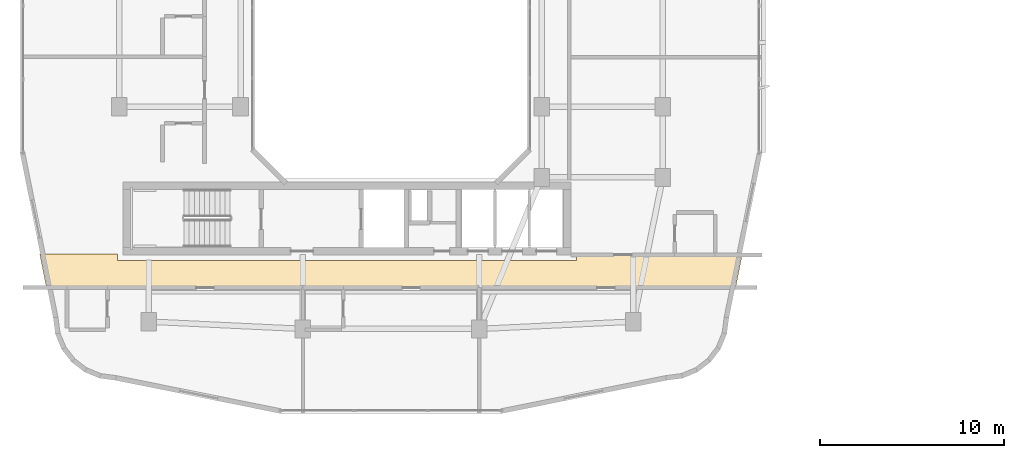
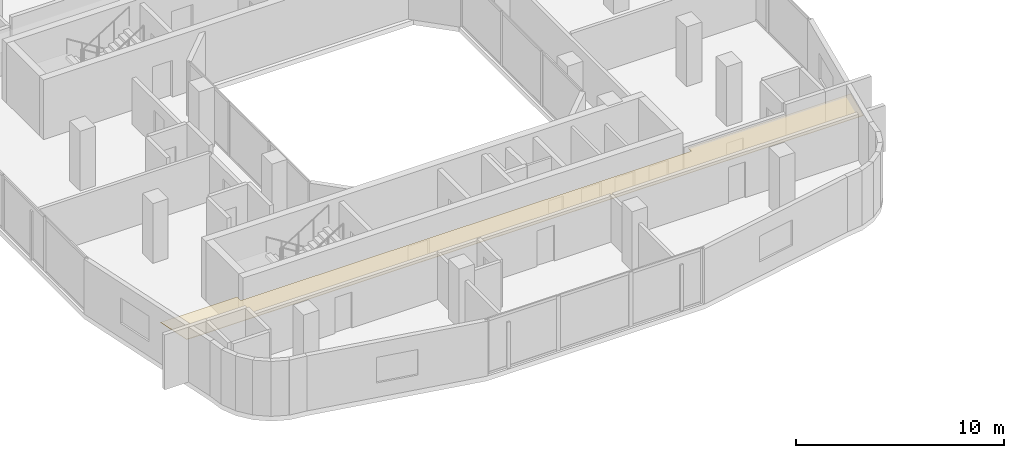
# One storey, part 15 of 18: 1 covering.
"""IFC4 building model written with IfcOpenShell, lengths in metres."""

from ifc_helpers import new_model, si_unit, derived_unit, direction, frame, origin, place, context, subcontext, project, spatial, polyline, outline, extrude, material, layer, layer_set, type_object, element, save


model = new_model("IFC4")

# Units and contexts
model_context = context("Model", 3, precision=1e-05, world=origin(), true_north=direction((0.0, 1.0)))
body_context = subcontext(model_context, "Body", "Model", "MODEL_VIEW")
ifc_project = project(units=[si_unit("LENGTHUNIT", "METRE"), si_unit("AREAUNIT", "SQUARE_METRE"), si_unit("VOLUMEUNIT", "CUBIC_METRE"), si_unit("PLANEANGLEUNIT", "RADIAN"), si_unit("MASSUNIT", "GRAM", prefix="KILO"), derived_unit("THERMALTRANSMITTANCEUNIT", [(si_unit("POWERUNIT", "WATT"), 1), (si_unit("LENGTHUNIT", "METRE"), -2), (si_unit("THERMODYNAMICTEMPERATUREUNIT", "KELVIN"), -1)])], contexts=[model_context])

# Site, building, storey
site_placement = place(None, origin())
site = spatial("IfcSite", under=ifc_project, at=site_placement, CompositionType="ELEMENT")
building_placement = place(site_placement, origin())
building = spatial("IfcBuilding", under=site, at=building_placement, Name="Kivonza Crest Hotel", CompositionType="ELEMENT")
storey_placement = place(building_placement, frame((0.0, 0.0, 131.0)))
storey = spatial("IfcBuildingStorey", under=building, at=storey_placement, Name="L35", CompositionType="ELEMENT", Elevation=131.0)

# Covering
ifc_material = material(Name="Moisture-resistant gypsum plasterboard ceiling", Category="gypsum")
ifc_layer = layer(ifc_material, 0.030029296875)
ifc_layer_set = layer_set([ifc_layer], Name="Moisture-resistant gypsum plasterboard ceiling")
covering_type = type_object("IfcCoveringType", Name="CV-CEIL-GYP", PredefinedType="CEILING", material=ifc_layer_set)
covering_placement = place(storey_placement, frame((0.0, 0.0, 2.449951171875)))
element("IfcCovering", 1, at=covering_placement, inside=storey, type_object=covering_type, Name="L35 Hotel South Guest Corridor suspended ceiling", PredefinedType="CEILING", context=body_context, shape_type="SweptSolid", body=[
    extrude(outline(polyline([(1.85791015625, 13.47998046875), (2.235107421875, 11.610107421875), (39.764892578125, 11.610107421875), (40.14208984375, 13.47998046875), (31.10009765625, 13.47998046875), (31.10009765625, 13.139892578125), (6.10009765625, 13.139892578125), (6.10009765625, 13.47998046875), (1.85791015625, 13.47998046875)])), origin(), (0.0, 0.0, 1.0), 0.030029296875),
])

save(model, "model.ifc")
